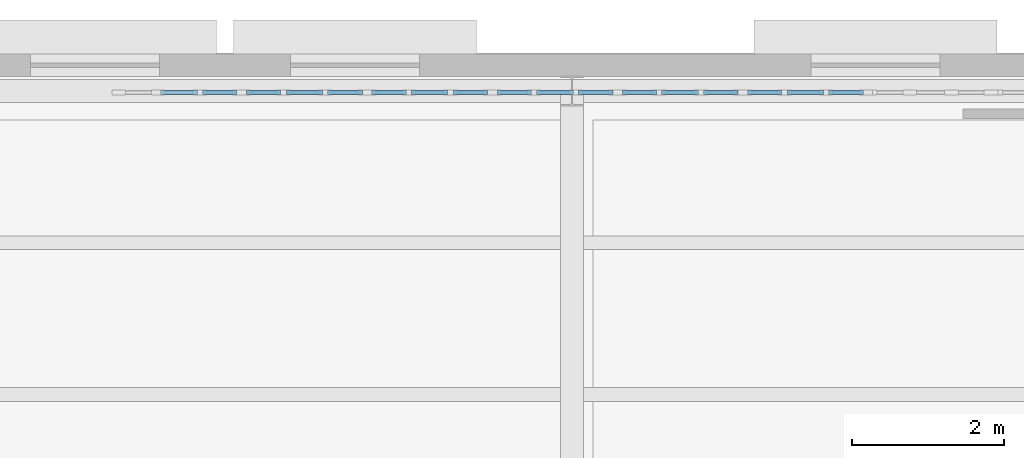
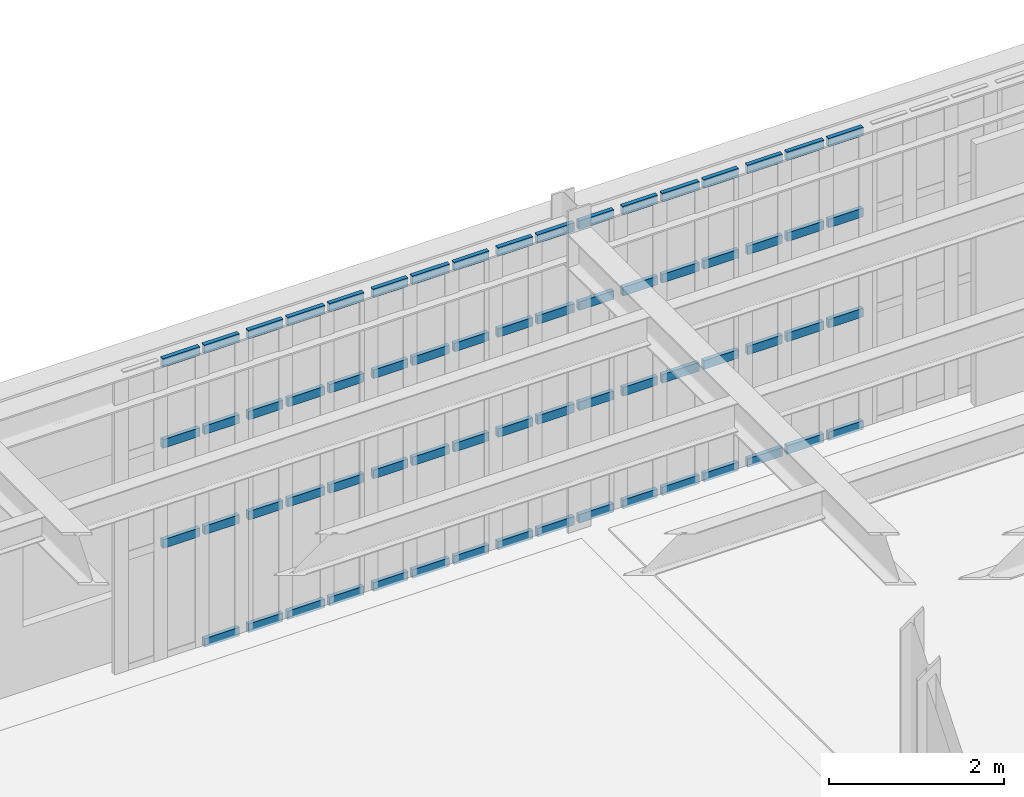
# One storey, part 44 of 91: 67 members, 6 elements without a shape of their own.
"""IFC4 building model written with IfcOpenShell, lengths in metres."""

from ifc_helpers import new_model, si_unit, direction, frame, origin, origin_2d, place, context, subcontext, project, spatial, rectangle, extrude, material, material_profile, profile_set, type_object, element, aggregate, save


model = new_model("IFC4")

# Units and contexts
model_context = context("Model", 3, precision=1e-05, world=origin(), true_north=direction((0.0, 1.0)))
body_context = subcontext(model_context, "Body", "Model", "MODEL_VIEW")
ifc_project = project(units=[si_unit("LENGTHUNIT", "METRE"), si_unit("AREAUNIT", "SQUARE_METRE"), si_unit("VOLUMEUNIT", "CUBIC_METRE"), si_unit("PLANEANGLEUNIT", "RADIAN"), si_unit("MASSUNIT", "GRAM", prefix="KILO")], contexts=[model_context])

# Site, building, storey
site_placement = place(None, origin())
site = spatial("IfcSite", under=ifc_project, at=site_placement, CompositionType="ELEMENT")
building_placement = place(site_placement, origin())
building = spatial("IfcBuilding", under=site, at=building_placement, Name="Kolvaren Corner Interchange", CompositionType="ELEMENT")
storey_placement = place(building_placement, frame((0.0, 0.0, 6.0)))
storey = spatial("IfcBuildingStorey", under=building, at=storey_placement, Name="L02", CompositionType="ELEMENT", Elevation=6.0)

# Curtain wall, members
ifc_material_1 = material(Name="Unitised Aluminium and Solar-Control Glass Curtain Wall", Category="aluminium")
curtain_wall_type = type_object("IfcCurtainWallType", Name="CW-V3-MEZZ", PredefinedType="NOTDEFINED", material=ifc_material_1)
curtain_wall_1_placement = place(storey_placement, origin())
curtain_wall_1 = element("IfcCurtainWall", 1, at=curtain_wall_1_placement, inside=storey, type_object=curtain_wall_type, Name="Cycle Mezzanine North Curtain Wall Bay 01", PredefinedType="NOTDEFINED")
ifc_material_2 = material(Name="Anodised Aluminium Framing", Category="aluminium")
ifc_material_profile = material_profile(ifc_material_2, rectangle(XDim=0.054931640625, YDim=0.1201171875, at=origin_2d()), Name="ALU 55x120")
ifc_profile_set = profile_set([ifc_material_profile], Name="Anodised Aluminium Framing")
member_type = type_object("IfcMemberType", Name="TRN-ALU55x120", PredefinedType="USERDEFINED", material=ifc_profile_set)
member_1_placement = place(storey_placement, frame((92.580078125, 113.47998046875, 1.60009765625), z_axis=(1.0, 0.0, 0.0), x_axis=(0.0, 1.0, 0.0)))
member_1 = element("IfcMember", 2, at=member_1_placement, type_object=member_type, Name="CW-114 transom 2.2", ObjectType="TRANSOM", PredefinedType="USERDEFINED", context=body_context, shape_type="SweptSolid", body=[
    extrude(rectangle(XDim=0.054931640625, YDim=0.1201171875, at=origin_2d()), origin(), (0.0, 0.0, 1.0), 0.489990234375),
])
member_2_placement = place(storey_placement, frame((92.580078125, 113.47998046875, 3.0), z_axis=(1.0, 0.0, 0.0), x_axis=(0.0, 1.0, 0.0)))
member_2 = element("IfcMember", 3, at=member_2_placement, type_object=member_type, Name="CW-114 transom 2.3", ObjectType="TRANSOM", PredefinedType="USERDEFINED", context=body_context, shape_type="SweptSolid", body=[
    extrude(rectangle(XDim=0.054931640625, YDim=0.1201171875, at=origin_2d()), origin(), (0.0, 0.0, 1.0), 0.489990234375),
])
member_3_placement = place(storey_placement, frame((92.580078125, 113.47998046875, 4.132568359375), z_axis=(1.0, 0.0, 0.0), x_axis=(0.0, 1.0, 0.0)))
member_3 = element("IfcMember", 4, at=member_3_placement, type_object=member_type, Name="CW-114 transom 2.4", ObjectType="TRANSOM", PredefinedType="USERDEFINED", context=body_context, shape_type="SweptSolid", body=[
    extrude(rectangle(XDim=0.054931640625, YDim=0.1201171875, at=origin_2d()), origin(), (0.0, 0.0, 1.0), 0.489990234375),
])
member_4_placement = place(storey_placement, frame((93.1298828125, 113.47998046875, 0.027587890625), z_axis=(1.0, 0.0, 0.0), x_axis=(0.0, 1.0, 0.0)))
member_4 = element("IfcMember", 5, at=member_4_placement, type_object=member_type, Name="CW-114 transom 3.1", ObjectType="TRANSOM", PredefinedType="USERDEFINED", context=body_context, shape_type="SweptSolid", body=[
    extrude(rectangle(XDim=0.054931640625, YDim=0.1201171875, at=origin_2d()), origin(), (0.0, 0.0, 1.0), 0.460205078125),
])
member_5_placement = place(storey_placement, frame((93.1298828125, 113.47998046875, 1.60009765625), z_axis=(1.0, 0.0, 0.0), x_axis=(0.0, 1.0, 0.0)))
member_5 = element("IfcMember", 6, at=member_5_placement, type_object=member_type, Name="CW-114 transom 3.2", ObjectType="TRANSOM", PredefinedType="USERDEFINED", context=body_context, shape_type="SweptSolid", body=[
    extrude(rectangle(XDim=0.054931640625, YDim=0.1201171875, at=origin_2d()), origin(), (0.0, 0.0, 1.0), 0.460205078125),
])
member_6_placement = place(storey_placement, frame((93.1298828125, 113.47998046875, 3.0), z_axis=(1.0, 0.0, 0.0), x_axis=(0.0, 1.0, 0.0)))
member_6 = element("IfcMember", 7, at=member_6_placement, type_object=member_type, Name="CW-114 transom 3.3", ObjectType="TRANSOM", PredefinedType="USERDEFINED", context=body_context, shape_type="SweptSolid", body=[
    extrude(rectangle(XDim=0.054931640625, YDim=0.1201171875, at=origin_2d()), origin(), (0.0, 0.0, 1.0), 0.460205078125),
])
member_7_placement = place(storey_placement, frame((93.1298828125, 113.47998046875, 4.132568359375), z_axis=(1.0, 0.0, 0.0), x_axis=(0.0, 1.0, 0.0)))
member_7 = element("IfcMember", 8, at=member_7_placement, type_object=member_type, Name="CW-114 transom 3.4", ObjectType="TRANSOM", PredefinedType="USERDEFINED", context=body_context, shape_type="SweptSolid", body=[
    extrude(rectangle(XDim=0.054931640625, YDim=0.1201171875, at=origin_2d()), origin(), (0.0, 0.0, 1.0), 0.460205078125),
])
aggregate(curtain_wall_1, [member_1, member_2, member_3, member_4, member_5, member_6, member_7])

curtain_wall_2_placement = place(storey_placement, origin())
curtain_wall_2 = element("IfcCurtainWall", 9, at=curtain_wall_2_placement, inside=storey, type_object=curtain_wall_type, Name="Cycle Mezzanine North Curtain Wall Bay 02", PredefinedType="NOTDEFINED")
member_8_placement = place(storey_placement, frame((93.7099609375, 113.47998046875, 0.027587890625), z_axis=(1.0, 0.0, 0.0), x_axis=(0.0, 1.0, 0.0)))
member_8 = element("IfcMember", 10, at=member_8_placement, type_object=member_type, Name="CW-115 transom 1.1", ObjectType="TRANSOM", PredefinedType="USERDEFINED", context=body_context, shape_type="SweptSolid", body=[
    extrude(rectangle(XDim=0.054931640625, YDim=0.1201171875, at=origin_2d()), origin(), (0.0, 0.0, 1.0), 0.4599609375),
])
member_9_placement = place(storey_placement, frame((93.7099609375, 113.47998046875, 1.60009765625), z_axis=(1.0, 0.0, 0.0), x_axis=(0.0, 1.0, 0.0)))
member_9 = element("IfcMember", 11, at=member_9_placement, type_object=member_type, Name="CW-115 transom 1.2", ObjectType="TRANSOM", PredefinedType="USERDEFINED", context=body_context, shape_type="SweptSolid", body=[
    extrude(rectangle(XDim=0.054931640625, YDim=0.1201171875, at=origin_2d()), origin(), (0.0, 0.0, 1.0), 0.4599609375),
])
member_10_placement = place(storey_placement, frame((93.7099609375, 113.47998046875, 3.0), z_axis=(1.0, 0.0, 0.0), x_axis=(0.0, 1.0, 0.0)))
member_10 = element("IfcMember", 12, at=member_10_placement, type_object=member_type, Name="CW-115 transom 1.3", ObjectType="TRANSOM", PredefinedType="USERDEFINED", context=body_context, shape_type="SweptSolid", body=[
    extrude(rectangle(XDim=0.054931640625, YDim=0.1201171875, at=origin_2d()), origin(), (0.0, 0.0, 1.0), 0.4599609375),
])
member_11_placement = place(storey_placement, frame((93.7099609375, 113.47998046875, 4.132568359375), z_axis=(1.0, 0.0, 0.0), x_axis=(0.0, 1.0, 0.0)))
member_11 = element("IfcMember", 13, at=member_11_placement, type_object=member_type, Name="CW-115 transom 1.4", ObjectType="TRANSOM", PredefinedType="USERDEFINED", context=body_context, shape_type="SweptSolid", body=[
    extrude(rectangle(XDim=0.054931640625, YDim=0.1201171875, at=origin_2d()), origin(), (0.0, 0.0, 1.0), 0.4599609375),
])
member_12_placement = place(storey_placement, frame((94.22998046875, 113.47998046875, 0.027587890625), z_axis=(1.0, 0.0, 0.0), x_axis=(0.0, 1.0, 0.0)))
member_12 = element("IfcMember", 14, at=member_12_placement, type_object=member_type, Name="CW-115 transom 2.1", ObjectType="TRANSOM", PredefinedType="USERDEFINED", context=body_context, shape_type="SweptSolid", body=[
    extrude(rectangle(XDim=0.054931640625, YDim=0.1201171875, at=origin_2d()), origin(), (0.0, 0.0, 1.0), 0.489990234375),
])
member_13_placement = place(storey_placement, frame((94.22998046875, 113.47998046875, 1.60009765625), z_axis=(1.0, 0.0, 0.0), x_axis=(0.0, 1.0, 0.0)))
member_13 = element("IfcMember", 15, at=member_13_placement, type_object=member_type, Name="CW-115 transom 2.2", ObjectType="TRANSOM", PredefinedType="USERDEFINED", context=body_context, shape_type="SweptSolid", body=[
    extrude(rectangle(XDim=0.054931640625, YDim=0.1201171875, at=origin_2d()), origin(), (0.0, 0.0, 1.0), 0.489990234375),
])
member_14_placement = place(storey_placement, frame((94.22998046875, 113.47998046875, 3.0), z_axis=(1.0, 0.0, 0.0), x_axis=(0.0, 1.0, 0.0)))
member_14 = element("IfcMember", 16, at=member_14_placement, type_object=member_type, Name="CW-115 transom 2.3", ObjectType="TRANSOM", PredefinedType="USERDEFINED", context=body_context, shape_type="SweptSolid", body=[
    extrude(rectangle(XDim=0.054931640625, YDim=0.1201171875, at=origin_2d()), origin(), (0.0, 0.0, 1.0), 0.489990234375),
])
member_15_placement = place(storey_placement, frame((94.22998046875, 113.47998046875, 4.132568359375), z_axis=(1.0, 0.0, 0.0), x_axis=(0.0, 1.0, 0.0)))
member_15 = element("IfcMember", 17, at=member_15_placement, type_object=member_type, Name="CW-115 transom 2.4", ObjectType="TRANSOM", PredefinedType="USERDEFINED", context=body_context, shape_type="SweptSolid", body=[
    extrude(rectangle(XDim=0.054931640625, YDim=0.1201171875, at=origin_2d()), origin(), (0.0, 0.0, 1.0), 0.489990234375),
])
member_16_placement = place(storey_placement, frame((94.780029296875, 113.47998046875, 0.027587890625), z_axis=(1.0, 0.0, 0.0), x_axis=(0.0, 1.0, 0.0)))
member_16 = element("IfcMember", 18, at=member_16_placement, type_object=member_type, Name="CW-115 transom 3.1", ObjectType="TRANSOM", PredefinedType="USERDEFINED", context=body_context, shape_type="SweptSolid", body=[
    extrude(rectangle(XDim=0.054931640625, YDim=0.1201171875, at=origin_2d()), origin(), (0.0, 0.0, 1.0), 0.4599609375),
])
member_17_placement = place(storey_placement, frame((94.780029296875, 113.47998046875, 1.60009765625), z_axis=(1.0, 0.0, 0.0), x_axis=(0.0, 1.0, 0.0)))
member_17 = element("IfcMember", 19, at=member_17_placement, type_object=member_type, Name="CW-115 transom 3.2", ObjectType="TRANSOM", PredefinedType="USERDEFINED", context=body_context, shape_type="SweptSolid", body=[
    extrude(rectangle(XDim=0.054931640625, YDim=0.1201171875, at=origin_2d()), origin(), (0.0, 0.0, 1.0), 0.4599609375),
])
member_18_placement = place(storey_placement, frame((94.780029296875, 113.47998046875, 3.0), z_axis=(1.0, 0.0, 0.0), x_axis=(0.0, 1.0, 0.0)))
member_18 = element("IfcMember", 20, at=member_18_placement, type_object=member_type, Name="CW-115 transom 3.3", ObjectType="TRANSOM", PredefinedType="USERDEFINED", context=body_context, shape_type="SweptSolid", body=[
    extrude(rectangle(XDim=0.054931640625, YDim=0.1201171875, at=origin_2d()), origin(), (0.0, 0.0, 1.0), 0.4599609375),
])
member_19_placement = place(storey_placement, frame((94.780029296875, 113.47998046875, 4.132568359375), z_axis=(1.0, 0.0, 0.0), x_axis=(0.0, 1.0, 0.0)))
member_19 = element("IfcMember", 21, at=member_19_placement, type_object=member_type, Name="CW-115 transom 3.4", ObjectType="TRANSOM", PredefinedType="USERDEFINED", context=body_context, shape_type="SweptSolid", body=[
    extrude(rectangle(XDim=0.054931640625, YDim=0.1201171875, at=origin_2d()), origin(), (0.0, 0.0, 1.0), 0.4599609375),
])
aggregate(curtain_wall_2, [member_8, member_9, member_10, member_11, member_12, member_13, member_14, member_15, member_16, member_17, member_18, member_19])

curtain_wall_3_placement = place(storey_placement, origin())
curtain_wall_3 = element("IfcCurtainWall", 22, at=curtain_wall_3_placement, inside=storey, type_object=curtain_wall_type, Name="Cycle Mezzanine North Curtain Wall Bay 03", PredefinedType="NOTDEFINED")
member_20_placement = place(storey_placement, frame((95.360107421875, 113.47998046875, 0.027587890625), z_axis=(1.0, 0.0, 0.0), x_axis=(0.0, 1.0, 0.0)))
member_20 = element("IfcMember", 23, at=member_20_placement, type_object=member_type, Name="CW-116 transom 1.1", ObjectType="TRANSOM", PredefinedType="USERDEFINED", context=body_context, shape_type="SweptSolid", body=[
    extrude(rectangle(XDim=0.054931640625, YDim=0.1201171875, at=origin_2d()), origin(), (0.0, 0.0, 1.0), 0.4599609375),
])
member_21_placement = place(storey_placement, frame((95.360107421875, 113.47998046875, 1.60009765625), z_axis=(1.0, 0.0, 0.0), x_axis=(0.0, 1.0, 0.0)))
member_21 = element("IfcMember", 24, at=member_21_placement, type_object=member_type, Name="CW-116 transom 1.2", ObjectType="TRANSOM", PredefinedType="USERDEFINED", context=body_context, shape_type="SweptSolid", body=[
    extrude(rectangle(XDim=0.054931640625, YDim=0.1201171875, at=origin_2d()), origin(), (0.0, 0.0, 1.0), 0.4599609375),
])
member_22_placement = place(storey_placement, frame((95.360107421875, 113.47998046875, 3.0), z_axis=(1.0, 0.0, 0.0), x_axis=(0.0, 1.0, 0.0)))
member_22 = element("IfcMember", 25, at=member_22_placement, type_object=member_type, Name="CW-116 transom 1.3", ObjectType="TRANSOM", PredefinedType="USERDEFINED", context=body_context, shape_type="SweptSolid", body=[
    extrude(rectangle(XDim=0.054931640625, YDim=0.1201171875, at=origin_2d()), origin(), (0.0, 0.0, 1.0), 0.4599609375),
])
member_23_placement = place(storey_placement, frame((95.360107421875, 113.47998046875, 4.132568359375), z_axis=(1.0, 0.0, 0.0), x_axis=(0.0, 1.0, 0.0)))
member_23 = element("IfcMember", 26, at=member_23_placement, type_object=member_type, Name="CW-116 transom 1.4", ObjectType="TRANSOM", PredefinedType="USERDEFINED", context=body_context, shape_type="SweptSolid", body=[
    extrude(rectangle(XDim=0.054931640625, YDim=0.1201171875, at=origin_2d()), origin(), (0.0, 0.0, 1.0), 0.4599609375),
])
member_24_placement = place(storey_placement, frame((95.8798828125, 113.47998046875, 0.027587890625), z_axis=(1.0, 0.0, 0.0), x_axis=(0.0, 1.0, 0.0)))
member_24 = element("IfcMember", 27, at=member_24_placement, type_object=member_type, Name="CW-116 transom 2.1", ObjectType="TRANSOM", PredefinedType="USERDEFINED", context=body_context, shape_type="SweptSolid", body=[
    extrude(rectangle(XDim=0.054931640625, YDim=0.1201171875, at=origin_2d()), origin(), (0.0, 0.0, 1.0), 0.490234375),
])
member_25_placement = place(storey_placement, frame((95.8798828125, 113.47998046875, 1.60009765625), z_axis=(1.0, 0.0, 0.0), x_axis=(0.0, 1.0, 0.0)))
member_25 = element("IfcMember", 28, at=member_25_placement, type_object=member_type, Name="CW-116 transom 2.2", ObjectType="TRANSOM", PredefinedType="USERDEFINED", context=body_context, shape_type="SweptSolid", body=[
    extrude(rectangle(XDim=0.054931640625, YDim=0.1201171875, at=origin_2d()), origin(), (0.0, 0.0, 1.0), 0.490234375),
])
member_26_placement = place(storey_placement, frame((95.8798828125, 113.47998046875, 3.0), z_axis=(1.0, 0.0, 0.0), x_axis=(0.0, 1.0, 0.0)))
member_26 = element("IfcMember", 29, at=member_26_placement, type_object=member_type, Name="CW-116 transom 2.3", ObjectType="TRANSOM", PredefinedType="USERDEFINED", context=body_context, shape_type="SweptSolid", body=[
    extrude(rectangle(XDim=0.054931640625, YDim=0.1201171875, at=origin_2d()), origin(), (0.0, 0.0, 1.0), 0.490234375),
])
member_27_placement = place(storey_placement, frame((95.8798828125, 113.47998046875, 4.132568359375), z_axis=(1.0, 0.0, 0.0), x_axis=(0.0, 1.0, 0.0)))
member_27 = element("IfcMember", 30, at=member_27_placement, type_object=member_type, Name="CW-116 transom 2.4", ObjectType="TRANSOM", PredefinedType="USERDEFINED", context=body_context, shape_type="SweptSolid", body=[
    extrude(rectangle(XDim=0.054931640625, YDim=0.1201171875, at=origin_2d()), origin(), (0.0, 0.0, 1.0), 0.490234375),
])
member_28_placement = place(storey_placement, frame((96.429931640625, 113.47998046875, 0.027587890625), z_axis=(1.0, 0.0, 0.0), x_axis=(0.0, 1.0, 0.0)))
member_28 = element("IfcMember", 31, at=member_28_placement, type_object=member_type, Name="CW-116 transom 3.1", ObjectType="TRANSOM", PredefinedType="USERDEFINED", context=body_context, shape_type="SweptSolid", body=[
    extrude(rectangle(XDim=0.054931640625, YDim=0.1201171875, at=origin_2d()), origin(), (0.0, 0.0, 1.0), 0.4599609375),
])
member_29_placement = place(storey_placement, frame((96.429931640625, 113.47998046875, 1.60009765625), z_axis=(1.0, 0.0, 0.0), x_axis=(0.0, 1.0, 0.0)))
member_29 = element("IfcMember", 32, at=member_29_placement, type_object=member_type, Name="CW-116 transom 3.2", ObjectType="TRANSOM", PredefinedType="USERDEFINED", context=body_context, shape_type="SweptSolid", body=[
    extrude(rectangle(XDim=0.054931640625, YDim=0.1201171875, at=origin_2d()), origin(), (0.0, 0.0, 1.0), 0.4599609375),
])
member_30_placement = place(storey_placement, frame((96.429931640625, 113.47998046875, 3.0), z_axis=(1.0, 0.0, 0.0), x_axis=(0.0, 1.0, 0.0)))
member_30 = element("IfcMember", 33, at=member_30_placement, type_object=member_type, Name="CW-116 transom 3.3", ObjectType="TRANSOM", PredefinedType="USERDEFINED", context=body_context, shape_type="SweptSolid", body=[
    extrude(rectangle(XDim=0.054931640625, YDim=0.1201171875, at=origin_2d()), origin(), (0.0, 0.0, 1.0), 0.4599609375),
])
member_31_placement = place(storey_placement, frame((96.429931640625, 113.47998046875, 4.132568359375), z_axis=(1.0, 0.0, 0.0), x_axis=(0.0, 1.0, 0.0)))
member_31 = element("IfcMember", 34, at=member_31_placement, type_object=member_type, Name="CW-116 transom 3.4", ObjectType="TRANSOM", PredefinedType="USERDEFINED", context=body_context, shape_type="SweptSolid", body=[
    extrude(rectangle(XDim=0.054931640625, YDim=0.1201171875, at=origin_2d()), origin(), (0.0, 0.0, 1.0), 0.4599609375),
])
aggregate(curtain_wall_3, [member_20, member_21, member_22, member_23, member_24, member_25, member_26, member_27, member_28, member_29, member_30, member_31])

curtain_wall_4_placement = place(storey_placement, origin())
curtain_wall_4 = element("IfcCurtainWall", 35, at=curtain_wall_4_placement, inside=storey, type_object=curtain_wall_type, Name="Cycle Mezzanine North Curtain Wall Bay 04", PredefinedType="NOTDEFINED")
member_32_placement = place(storey_placement, frame((97.010009765625, 113.47998046875, 0.027587890625), z_axis=(1.0, 0.0, 0.0), x_axis=(0.0, 1.0, 0.0)))
member_32 = element("IfcMember", 36, at=member_32_placement, type_object=member_type, Name="CW-117 transom 1.1", ObjectType="TRANSOM", PredefinedType="USERDEFINED", context=body_context, shape_type="SweptSolid", body=[
    extrude(rectangle(XDim=0.054931640625, YDim=0.1201171875, at=origin_2d()), origin(), (0.0, 0.0, 1.0), 0.4599609375),
])
member_33_placement = place(storey_placement, frame((97.010009765625, 113.47998046875, 1.60009765625), z_axis=(1.0, 0.0, 0.0), x_axis=(0.0, 1.0, 0.0)))
member_33 = element("IfcMember", 37, at=member_33_placement, type_object=member_type, Name="CW-117 transom 1.2", ObjectType="TRANSOM", PredefinedType="USERDEFINED", context=body_context, shape_type="SweptSolid", body=[
    extrude(rectangle(XDim=0.054931640625, YDim=0.1201171875, at=origin_2d()), origin(), (0.0, 0.0, 1.0), 0.4599609375),
])
member_34_placement = place(storey_placement, frame((97.010009765625, 113.47998046875, 3.0), z_axis=(1.0, 0.0, 0.0), x_axis=(0.0, 1.0, 0.0)))
member_34 = element("IfcMember", 38, at=member_34_placement, type_object=member_type, Name="CW-117 transom 1.3", ObjectType="TRANSOM", PredefinedType="USERDEFINED", context=body_context, shape_type="SweptSolid", body=[
    extrude(rectangle(XDim=0.054931640625, YDim=0.1201171875, at=origin_2d()), origin(), (0.0, 0.0, 1.0), 0.4599609375),
])
member_35_placement = place(storey_placement, frame((97.010009765625, 113.47998046875, 4.132568359375), z_axis=(1.0, 0.0, 0.0), x_axis=(0.0, 1.0, 0.0)))
member_35 = element("IfcMember", 39, at=member_35_placement, type_object=member_type, Name="CW-117 transom 1.4", ObjectType="TRANSOM", PredefinedType="USERDEFINED", context=body_context, shape_type="SweptSolid", body=[
    extrude(rectangle(XDim=0.054931640625, YDim=0.1201171875, at=origin_2d()), origin(), (0.0, 0.0, 1.0), 0.4599609375),
])
member_36_placement = place(storey_placement, frame((97.530029296875, 113.47998046875, 0.027587890625), z_axis=(1.0, 0.0, 0.0), x_axis=(0.0, 1.0, 0.0)))
member_36 = element("IfcMember", 40, at=member_36_placement, type_object=member_type, Name="CW-117 transom 2.1", ObjectType="TRANSOM", PredefinedType="USERDEFINED", context=body_context, shape_type="SweptSolid", body=[
    extrude(rectangle(XDim=0.054931640625, YDim=0.1201171875, at=origin_2d()), origin(), (0.0, 0.0, 1.0), 0.489990234375),
])
member_37_placement = place(storey_placement, frame((97.530029296875, 113.47998046875, 1.60009765625), z_axis=(1.0, 0.0, 0.0), x_axis=(0.0, 1.0, 0.0)))
member_37 = element("IfcMember", 41, at=member_37_placement, type_object=member_type, Name="CW-117 transom 2.2", ObjectType="TRANSOM", PredefinedType="USERDEFINED", context=body_context, shape_type="SweptSolid", body=[
    extrude(rectangle(XDim=0.054931640625, YDim=0.1201171875, at=origin_2d()), origin(), (0.0, 0.0, 1.0), 0.489990234375),
])
member_38_placement = place(storey_placement, frame((97.530029296875, 113.47998046875, 3.0), z_axis=(1.0, 0.0, 0.0), x_axis=(0.0, 1.0, 0.0)))
member_38 = element("IfcMember", 42, at=member_38_placement, type_object=member_type, Name="CW-117 transom 2.3", ObjectType="TRANSOM", PredefinedType="USERDEFINED", context=body_context, shape_type="SweptSolid", body=[
    extrude(rectangle(XDim=0.054931640625, YDim=0.1201171875, at=origin_2d()), origin(), (0.0, 0.0, 1.0), 0.489990234375),
])
member_39_placement = place(storey_placement, frame((97.530029296875, 113.47998046875, 4.132568359375), z_axis=(1.0, 0.0, 0.0), x_axis=(0.0, 1.0, 0.0)))
member_39 = element("IfcMember", 43, at=member_39_placement, type_object=member_type, Name="CW-117 transom 2.4", ObjectType="TRANSOM", PredefinedType="USERDEFINED", context=body_context, shape_type="SweptSolid", body=[
    extrude(rectangle(XDim=0.054931640625, YDim=0.1201171875, at=origin_2d()), origin(), (0.0, 0.0, 1.0), 0.489990234375),
])
member_40_placement = place(storey_placement, frame((98.080078125, 113.47998046875, 0.027587890625), z_axis=(1.0, 0.0, 0.0), x_axis=(0.0, 1.0, 0.0)))
member_40 = element("IfcMember", 44, at=member_40_placement, type_object=member_type, Name="CW-117 transom 3.1", ObjectType="TRANSOM", PredefinedType="USERDEFINED", context=body_context, shape_type="SweptSolid", body=[
    extrude(rectangle(XDim=0.054931640625, YDim=0.1201171875, at=origin_2d()), origin(), (0.0, 0.0, 1.0), 0.4599609375),
])
member_41_placement = place(storey_placement, frame((98.080078125, 113.47998046875, 1.60009765625), z_axis=(1.0, 0.0, 0.0), x_axis=(0.0, 1.0, 0.0)))
member_41 = element("IfcMember", 45, at=member_41_placement, type_object=member_type, Name="CW-117 transom 3.2", ObjectType="TRANSOM", PredefinedType="USERDEFINED", context=body_context, shape_type="SweptSolid", body=[
    extrude(rectangle(XDim=0.054931640625, YDim=0.1201171875, at=origin_2d()), origin(), (0.0, 0.0, 1.0), 0.4599609375),
])
member_42_placement = place(storey_placement, frame((98.080078125, 113.47998046875, 3.0), z_axis=(1.0, 0.0, 0.0), x_axis=(0.0, 1.0, 0.0)))
member_42 = element("IfcMember", 46, at=member_42_placement, type_object=member_type, Name="CW-117 transom 3.3", ObjectType="TRANSOM", PredefinedType="USERDEFINED", context=body_context, shape_type="SweptSolid", body=[
    extrude(rectangle(XDim=0.054931640625, YDim=0.1201171875, at=origin_2d()), origin(), (0.0, 0.0, 1.0), 0.4599609375),
])
member_43_placement = place(storey_placement, frame((98.080078125, 113.47998046875, 4.132568359375), z_axis=(1.0, 0.0, 0.0), x_axis=(0.0, 1.0, 0.0)))
member_43 = element("IfcMember", 47, at=member_43_placement, type_object=member_type, Name="CW-117 transom 3.4", ObjectType="TRANSOM", PredefinedType="USERDEFINED", context=body_context, shape_type="SweptSolid", body=[
    extrude(rectangle(XDim=0.054931640625, YDim=0.1201171875, at=origin_2d()), origin(), (0.0, 0.0, 1.0), 0.4599609375),
])
aggregate(curtain_wall_4, [member_32, member_33, member_34, member_35, member_36, member_37, member_38, member_39, member_40, member_41, member_42, member_43])

curtain_wall_5_placement = place(storey_placement, origin())
curtain_wall_5 = element("IfcCurtainWall", 48, at=curtain_wall_5_placement, inside=storey, type_object=curtain_wall_type, Name="Cycle Mezzanine North Curtain Wall Bay 05", PredefinedType="NOTDEFINED")
member_44_placement = place(storey_placement, frame((98.659912109375, 113.47998046875, 0.027587890625), z_axis=(1.0, 0.0, 0.0), x_axis=(0.0, 1.0, 0.0)))
member_44 = element("IfcMember", 49, at=member_44_placement, type_object=member_type, Name="CW-118 transom 1.1", ObjectType="TRANSOM", PredefinedType="USERDEFINED", context=body_context, shape_type="SweptSolid", body=[
    extrude(rectangle(XDim=0.054931640625, YDim=0.1201171875, at=origin_2d()), origin(), (0.0, 0.0, 1.0), 0.460205078125),
])
member_45_placement = place(storey_placement, frame((98.659912109375, 113.47998046875, 1.60009765625), z_axis=(1.0, 0.0, 0.0), x_axis=(0.0, 1.0, 0.0)))
member_45 = element("IfcMember", 50, at=member_45_placement, type_object=member_type, Name="CW-118 transom 1.2", ObjectType="TRANSOM", PredefinedType="USERDEFINED", context=body_context, shape_type="SweptSolid", body=[
    extrude(rectangle(XDim=0.054931640625, YDim=0.1201171875, at=origin_2d()), origin(), (0.0, 0.0, 1.0), 0.460205078125),
])
member_46_placement = place(storey_placement, frame((98.659912109375, 113.47998046875, 3.0), z_axis=(1.0, 0.0, 0.0), x_axis=(0.0, 1.0, 0.0)))
member_46 = element("IfcMember", 51, at=member_46_placement, type_object=member_type, Name="CW-118 transom 1.3", ObjectType="TRANSOM", PredefinedType="USERDEFINED", context=body_context, shape_type="SweptSolid", body=[
    extrude(rectangle(XDim=0.054931640625, YDim=0.1201171875, at=origin_2d()), origin(), (0.0, 0.0, 1.0), 0.460205078125),
])
member_47_placement = place(storey_placement, frame((98.659912109375, 113.47998046875, 4.132568359375), z_axis=(1.0, 0.0, 0.0), x_axis=(0.0, 1.0, 0.0)))
member_47 = element("IfcMember", 52, at=member_47_placement, type_object=member_type, Name="CW-118 transom 1.4", ObjectType="TRANSOM", PredefinedType="USERDEFINED", context=body_context, shape_type="SweptSolid", body=[
    extrude(rectangle(XDim=0.054931640625, YDim=0.1201171875, at=origin_2d()), origin(), (0.0, 0.0, 1.0), 0.460205078125),
])
member_48_placement = place(storey_placement, frame((99.179931640625, 113.47998046875, 0.027587890625), z_axis=(1.0, 0.0, 0.0), x_axis=(0.0, 1.0, 0.0)))
member_48 = element("IfcMember", 53, at=member_48_placement, type_object=member_type, Name="CW-118 transom 2.1", ObjectType="TRANSOM", PredefinedType="USERDEFINED", context=body_context, shape_type="SweptSolid", body=[
    extrude(rectangle(XDim=0.054931640625, YDim=0.1201171875, at=origin_2d()), origin(), (0.0, 0.0, 1.0), 0.489990234375),
])
member_49_placement = place(storey_placement, frame((99.179931640625, 113.47998046875, 1.60009765625), z_axis=(1.0, 0.0, 0.0), x_axis=(0.0, 1.0, 0.0)))
member_49 = element("IfcMember", 54, at=member_49_placement, type_object=member_type, Name="CW-118 transom 2.2", ObjectType="TRANSOM", PredefinedType="USERDEFINED", context=body_context, shape_type="SweptSolid", body=[
    extrude(rectangle(XDim=0.054931640625, YDim=0.1201171875, at=origin_2d()), origin(), (0.0, 0.0, 1.0), 0.489990234375),
])
member_50_placement = place(storey_placement, frame((99.179931640625, 113.47998046875, 3.0), z_axis=(1.0, 0.0, 0.0), x_axis=(0.0, 1.0, 0.0)))
member_50 = element("IfcMember", 55, at=member_50_placement, type_object=member_type, Name="CW-118 transom 2.3", ObjectType="TRANSOM", PredefinedType="USERDEFINED", context=body_context, shape_type="SweptSolid", body=[
    extrude(rectangle(XDim=0.054931640625, YDim=0.1201171875, at=origin_2d()), origin(), (0.0, 0.0, 1.0), 0.489990234375),
])
member_51_placement = place(storey_placement, frame((99.179931640625, 113.47998046875, 4.132568359375), z_axis=(1.0, 0.0, 0.0), x_axis=(0.0, 1.0, 0.0)))
member_51 = element("IfcMember", 56, at=member_51_placement, type_object=member_type, Name="CW-118 transom 2.4", ObjectType="TRANSOM", PredefinedType="USERDEFINED", context=body_context, shape_type="SweptSolid", body=[
    extrude(rectangle(XDim=0.054931640625, YDim=0.1201171875, at=origin_2d()), origin(), (0.0, 0.0, 1.0), 0.489990234375),
])
member_52_placement = place(storey_placement, frame((99.72998046875, 113.47998046875, 0.027587890625), z_axis=(1.0, 0.0, 0.0), x_axis=(0.0, 1.0, 0.0)))
member_52 = element("IfcMember", 57, at=member_52_placement, type_object=member_type, Name="CW-118 transom 3.1", ObjectType="TRANSOM", PredefinedType="USERDEFINED", context=body_context, shape_type="SweptSolid", body=[
    extrude(rectangle(XDim=0.054931640625, YDim=0.1201171875, at=origin_2d()), origin(), (0.0, 0.0, 1.0), 0.4599609375),
])
member_53_placement = place(storey_placement, frame((99.72998046875, 113.47998046875, 1.60009765625), z_axis=(1.0, 0.0, 0.0), x_axis=(0.0, 1.0, 0.0)))
member_53 = element("IfcMember", 58, at=member_53_placement, type_object=member_type, Name="CW-118 transom 3.2", ObjectType="TRANSOM", PredefinedType="USERDEFINED", context=body_context, shape_type="SweptSolid", body=[
    extrude(rectangle(XDim=0.054931640625, YDim=0.1201171875, at=origin_2d()), origin(), (0.0, 0.0, 1.0), 0.4599609375),
])
member_54_placement = place(storey_placement, frame((99.72998046875, 113.47998046875, 3.0), z_axis=(1.0, 0.0, 0.0), x_axis=(0.0, 1.0, 0.0)))
member_54 = element("IfcMember", 59, at=member_54_placement, type_object=member_type, Name="CW-118 transom 3.3", ObjectType="TRANSOM", PredefinedType="USERDEFINED", context=body_context, shape_type="SweptSolid", body=[
    extrude(rectangle(XDim=0.054931640625, YDim=0.1201171875, at=origin_2d()), origin(), (0.0, 0.0, 1.0), 0.4599609375),
])
member_55_placement = place(storey_placement, frame((99.72998046875, 113.47998046875, 4.132568359375), z_axis=(1.0, 0.0, 0.0), x_axis=(0.0, 1.0, 0.0)))
member_55 = element("IfcMember", 60, at=member_55_placement, type_object=member_type, Name="CW-118 transom 3.4", ObjectType="TRANSOM", PredefinedType="USERDEFINED", context=body_context, shape_type="SweptSolid", body=[
    extrude(rectangle(XDim=0.054931640625, YDim=0.1201171875, at=origin_2d()), origin(), (0.0, 0.0, 1.0), 0.4599609375),
])
aggregate(curtain_wall_5, [member_44, member_45, member_46, member_47, member_48, member_49, member_50, member_51, member_52, member_53, member_54, member_55])

curtain_wall_6_placement = place(storey_placement, origin())
curtain_wall_6 = element("IfcCurtainWall", 61, at=curtain_wall_6_placement, inside=storey, type_object=curtain_wall_type, Name="Cycle Mezzanine North Curtain Wall Bay 06", PredefinedType="NOTDEFINED")
member_56_placement = place(storey_placement, frame((100.31005859375, 113.47998046875, 0.027587890625), z_axis=(1.0, 0.0, 0.0), x_axis=(0.0, 1.0, 0.0)))
member_56 = element("IfcMember", 62, at=member_56_placement, type_object=member_type, Name="CW-119 transom 1.1", ObjectType="TRANSOM", PredefinedType="USERDEFINED", context=body_context, shape_type="SweptSolid", body=[
    extrude(rectangle(XDim=0.054931640625, YDim=0.1201171875, at=origin_2d()), origin(), (0.0, 0.0, 1.0), 0.4599609375),
])
member_57_placement = place(storey_placement, frame((100.31005859375, 113.47998046875, 1.60009765625), z_axis=(1.0, 0.0, 0.0), x_axis=(0.0, 1.0, 0.0)))
member_57 = element("IfcMember", 63, at=member_57_placement, type_object=member_type, Name="CW-119 transom 1.2", ObjectType="TRANSOM", PredefinedType="USERDEFINED", context=body_context, shape_type="SweptSolid", body=[
    extrude(rectangle(XDim=0.054931640625, YDim=0.1201171875, at=origin_2d()), origin(), (0.0, 0.0, 1.0), 0.4599609375),
])
member_58_placement = place(storey_placement, frame((100.31005859375, 113.47998046875, 3.0), z_axis=(1.0, 0.0, 0.0), x_axis=(0.0, 1.0, 0.0)))
member_58 = element("IfcMember", 64, at=member_58_placement, type_object=member_type, Name="CW-119 transom 1.3", ObjectType="TRANSOM", PredefinedType="USERDEFINED", context=body_context, shape_type="SweptSolid", body=[
    extrude(rectangle(XDim=0.054931640625, YDim=0.1201171875, at=origin_2d()), origin(), (0.0, 0.0, 1.0), 0.4599609375),
])
member_59_placement = place(storey_placement, frame((100.31005859375, 113.47998046875, 4.132568359375), z_axis=(1.0, 0.0, 0.0), x_axis=(0.0, 1.0, 0.0)))
member_59 = element("IfcMember", 65, at=member_59_placement, type_object=member_type, Name="CW-119 transom 1.4", ObjectType="TRANSOM", PredefinedType="USERDEFINED", context=body_context, shape_type="SweptSolid", body=[
    extrude(rectangle(XDim=0.054931640625, YDim=0.1201171875, at=origin_2d()), origin(), (0.0, 0.0, 1.0), 0.4599609375),
])
member_60_placement = place(storey_placement, frame((100.830078125, 113.47998046875, 0.027587890625), z_axis=(1.0, 0.0, 0.0), x_axis=(0.0, 1.0, 0.0)))
member_60 = element("IfcMember", 66, at=member_60_placement, type_object=member_type, Name="CW-119 transom 2.1", ObjectType="TRANSOM", PredefinedType="USERDEFINED", context=body_context, shape_type="SweptSolid", body=[
    extrude(rectangle(XDim=0.054931640625, YDim=0.1201171875, at=origin_2d()), origin(), (0.0, 0.0, 1.0), 0.489990234375),
])
member_61_placement = place(storey_placement, frame((100.830078125, 113.47998046875, 1.60009765625), z_axis=(1.0, 0.0, 0.0), x_axis=(0.0, 1.0, 0.0)))
member_61 = element("IfcMember", 67, at=member_61_placement, type_object=member_type, Name="CW-119 transom 2.2", ObjectType="TRANSOM", PredefinedType="USERDEFINED", context=body_context, shape_type="SweptSolid", body=[
    extrude(rectangle(XDim=0.054931640625, YDim=0.1201171875, at=origin_2d()), origin(), (0.0, 0.0, 1.0), 0.489990234375),
])
member_62_placement = place(storey_placement, frame((100.830078125, 113.47998046875, 3.0), z_axis=(1.0, 0.0, 0.0), x_axis=(0.0, 1.0, 0.0)))
member_62 = element("IfcMember", 68, at=member_62_placement, type_object=member_type, Name="CW-119 transom 2.3", ObjectType="TRANSOM", PredefinedType="USERDEFINED", context=body_context, shape_type="SweptSolid", body=[
    extrude(rectangle(XDim=0.054931640625, YDim=0.1201171875, at=origin_2d()), origin(), (0.0, 0.0, 1.0), 0.489990234375),
])
member_63_placement = place(storey_placement, frame((100.830078125, 113.47998046875, 4.132568359375), z_axis=(1.0, 0.0, 0.0), x_axis=(0.0, 1.0, 0.0)))
member_63 = element("IfcMember", 69, at=member_63_placement, type_object=member_type, Name="CW-119 transom 2.4", ObjectType="TRANSOM", PredefinedType="USERDEFINED", context=body_context, shape_type="SweptSolid", body=[
    extrude(rectangle(XDim=0.054931640625, YDim=0.1201171875, at=origin_2d()), origin(), (0.0, 0.0, 1.0), 0.489990234375),
])
member_64_placement = place(storey_placement, frame((101.3798828125, 113.47998046875, 0.027587890625), z_axis=(1.0, 0.0, 0.0), x_axis=(0.0, 1.0, 0.0)))
member_64 = element("IfcMember", 70, at=member_64_placement, type_object=member_type, Name="CW-119 transom 3.1", ObjectType="TRANSOM", PredefinedType="USERDEFINED", context=body_context, shape_type="SweptSolid", body=[
    extrude(rectangle(XDim=0.054931640625, YDim=0.1201171875, at=origin_2d()), origin(), (0.0, 0.0, 1.0), 0.460205078125),
])
member_65_placement = place(storey_placement, frame((101.3798828125, 113.47998046875, 1.60009765625), z_axis=(1.0, 0.0, 0.0), x_axis=(0.0, 1.0, 0.0)))
member_65 = element("IfcMember", 71, at=member_65_placement, type_object=member_type, Name="CW-119 transom 3.2", ObjectType="TRANSOM", PredefinedType="USERDEFINED", context=body_context, shape_type="SweptSolid", body=[
    extrude(rectangle(XDim=0.054931640625, YDim=0.1201171875, at=origin_2d()), origin(), (0.0, 0.0, 1.0), 0.460205078125),
])
member_66_placement = place(storey_placement, frame((101.3798828125, 113.47998046875, 3.0), z_axis=(1.0, 0.0, 0.0), x_axis=(0.0, 1.0, 0.0)))
member_66 = element("IfcMember", 72, at=member_66_placement, type_object=member_type, Name="CW-119 transom 3.3", ObjectType="TRANSOM", PredefinedType="USERDEFINED", context=body_context, shape_type="SweptSolid", body=[
    extrude(rectangle(XDim=0.054931640625, YDim=0.1201171875, at=origin_2d()), origin(), (0.0, 0.0, 1.0), 0.460205078125),
])
member_67_placement = place(storey_placement, frame((101.3798828125, 113.47998046875, 4.132568359375), z_axis=(1.0, 0.0, 0.0), x_axis=(0.0, 1.0, 0.0)))
member_67 = element("IfcMember", 73, at=member_67_placement, type_object=member_type, Name="CW-119 transom 3.4", ObjectType="TRANSOM", PredefinedType="USERDEFINED", context=body_context, shape_type="SweptSolid", body=[
    extrude(rectangle(XDim=0.054931640625, YDim=0.1201171875, at=origin_2d()), origin(), (0.0, 0.0, 1.0), 0.460205078125),
])
aggregate(curtain_wall_6, [member_56, member_57, member_58, member_59, member_60, member_61, member_62, member_63, member_64, member_65, member_66, member_67])

save(model, "model.ifc")
